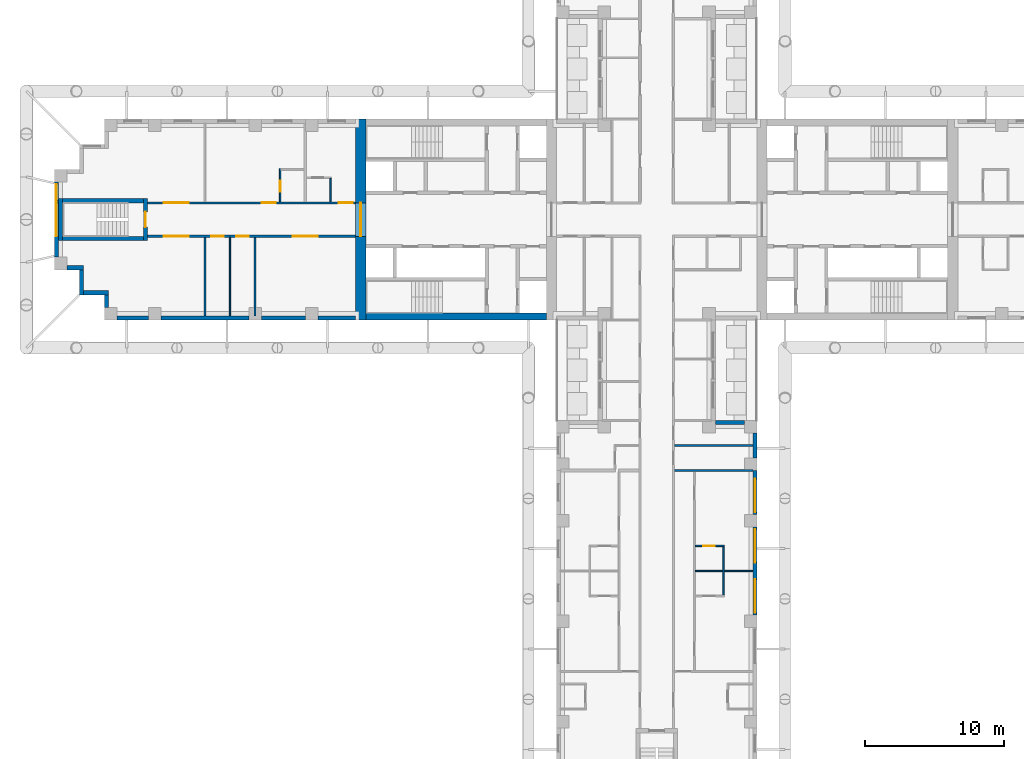
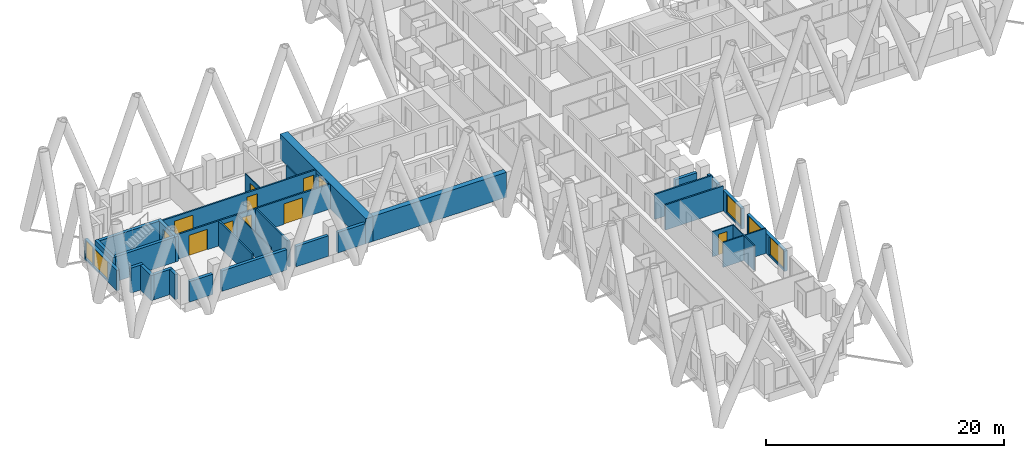
# One storey, part 6 of 17: 31 walls, 11 doors, 5 windows, 16 openings.
"""IFC4 building model written with IfcOpenShell, lengths in metres."""

from ifc_helpers import new_model, si_unit, direction, frame, frame_2d, origin, place, context, subcontext, project, spatial, rectangle, extrude, material, layer, layer_set, type_object, element, fill, save


model = new_model("IFC4")

# Units and contexts
model_context = context("Model", 3, precision=1e-05, world=origin(), true_north=direction((0.0, 1.0)))
body_context = subcontext(model_context, "Body", "Model", "MODEL_VIEW")
ifc_project = project(units=[si_unit("LENGTHUNIT", "METRE"), si_unit("AREAUNIT", "SQUARE_METRE"), si_unit("VOLUMEUNIT", "CUBIC_METRE"), si_unit("PLANEANGLEUNIT", "RADIAN"), si_unit("MASSUNIT", "GRAM", prefix="KILO")], contexts=[model_context])

# Site, building, storey
site_placement = place(None, origin())
site = spatial("IfcSite", under=ifc_project, at=site_placement, CompositionType="ELEMENT")
building_placement = place(site_placement, origin())
building = spatial("IfcBuilding", under=site, at=building_placement, Name="Fustian Cross Tower", CompositionType="ELEMENT")
storey_placement = place(building_placement, frame((0.0, 0.0, 56.699951171875)))
storey = spatial("IfcBuildingStorey", under=building, at=storey_placement, Name="L17", CompositionType="ELEMENT", Elevation=56.699951171875)

# Wall, openings, doors
ifc_material_1 = material(Name="Plasterboard on steel stud", Category="steel")
ifc_layer_1 = layer(ifc_material_1, 0.14990234375)
ifc_layer_set_1 = layer_set([ifc_layer_1], Name="Plasterboard on steel stud")
wall_type_1 = type_object("IfcWallType", Name="COMPARTMENT WALL 150 EI 60", PredefinedType="PARTITIONING", material=ifc_layer_set_1)
wall_1_placement = place(storey_placement, frame((-36.5, -1.199951171875, 0.0), z_axis=(0.0, 0.0, 1.0), x_axis=(1.0, 0.0, 0.0)))
wall_1 = element("IfcWall", 1, at=wall_1_placement, inside=storey, type_object=wall_type_1, Name="Partition 1", PredefinedType="PARTITIONING", context=body_context, shape_type="SweptSolid", body=[
    extrude(rectangle(XDim=14.89990234375, YDim=0.14990234375, at=frame_2d((7.449951171875, 0.0))), origin(), (0.0, 0.0, 1.0), 2.574951171875),
])
opening_1_placement = place(wall_1_placement, frame((10.39990234375, 0.0, 0.0)))
opening_1 = element("IfcOpeningElement", 2, at=opening_1_placement, cuts=wall_1, Name="Opening D09044", PredefinedType="OPENING", context=body_context, shape_type="SweptSolid", body=[
    extrude(rectangle(XDim=1.800048828125, YDim=2.10009765625, at=frame_2d((0.89990234375, 1.050048828125))), frame((0.0, 0.0849609375, 0.0), z_axis=(0.0, -1.0, 0.0), x_axis=(1.0, 0.0, 0.0)), (0.0, 0.0, 1.0), 0.169921875),
])
opening_2_placement = place(wall_1_placement, frame((6.35009765625, 0.0, 0.0)))
opening_2 = element("IfcOpeningElement", 3, at=opening_2_placement, cuts=wall_1, Name="Opening D09045", PredefinedType="OPENING", context=body_context, shape_type="SweptSolid", body=[
    extrude(rectangle(XDim=0.89990234375, YDim=2.10009765625, at=frame_2d((0.449951171875, 1.050048828125))), frame((0.0, 0.0849609375, 0.0), z_axis=(0.0, -1.0, 0.0), x_axis=(1.0, 0.0, 0.0)), (0.0, 0.0, 1.0), 0.169921875),
])
opening_3_placement = place(wall_1_placement, frame((4.550048828125, 0.0, 0.0)))
opening_3 = element("IfcOpeningElement", 4, at=opening_3_placement, cuts=wall_1, Name="Opening D09046", PredefinedType="OPENING", context=body_context, shape_type="SweptSolid", body=[
    extrude(rectangle(XDim=0.89990234375, YDim=2.10009765625, at=frame_2d((0.449951171875, 1.050048828125))), frame((0.0, 0.0849609375, 0.0), z_axis=(0.0, -1.0, 0.0), x_axis=(1.0, 0.0, 0.0)), (0.0, 0.0, 1.0), 0.169921875),
])
opening_4_placement = place(wall_1_placement, frame((1.14990234375, 0.0, 0.0)))
opening_4 = element("IfcOpeningElement", 5, at=opening_4_placement, cuts=wall_1, Name="Opening D09047", PredefinedType="OPENING", context=body_context, shape_type="SweptSolid", body=[
    extrude(rectangle(XDim=1.800048828125, YDim=2.10009765625, at=frame_2d((0.89990234375, 1.050048828125))), frame((0.0, 0.0849609375, 0.0), z_axis=(0.0, -1.0, 0.0), x_axis=(1.0, 0.0, 0.0)), (0.0, 0.0, 1.0), 0.169921875),
])
ifc_material_2 = material(Name="Timber fire door set", Category="wood")
door_type_1 = type_object("IfcDoorType", Name="FIRE DOUBLE DOOR 1800 FD30S", OperationType="DOUBLE_DOOR_DOUBLE_SWING", PredefinedType="DOOR", material=ifc_material_2)
door_1_placement = place(opening_1_placement, origin())
door_1 = element("IfcDoor", 6, at=door_1_placement, inside=storey, type_object=door_type_1, Name="Door D09044", OperationType="DOUBLE_DOOR_DOUBLE_SWING", OverallHeight=2.10009765625, OverallWidth=1.800048828125, PredefinedType="DOOR", context=body_context, shape_type="SweptSolid", body=[
    extrude(rectangle(XDim=1.800048828125, YDim=2.10009765625, at=frame_2d((0.89990234375, 1.050048828125))), frame((0.0, 0.02490234375, 0.0), z_axis=(0.0, -1.0, 0.0), x_axis=(1.0, 0.0, 0.0)), (0.0, 0.0, 1.0), 0.050048828125),
])
fill(opening_1, door_1)
door_2_placement = place(opening_4_placement, origin())
door_2 = element("IfcDoor", 7, at=door_2_placement, inside=storey, type_object=door_type_1, Name="Door D09047", OperationType="DOUBLE_DOOR_DOUBLE_SWING", OverallHeight=2.10009765625, OverallWidth=1.800048828125, PredefinedType="DOOR", context=body_context, shape_type="SweptSolid", body=[
    extrude(rectangle(XDim=1.800048828125, YDim=2.10009765625, at=frame_2d((0.89990234375, 1.050048828125))), frame((0.0, 0.02490234375, 0.0), z_axis=(0.0, -1.0, 0.0), x_axis=(1.0, 0.0, 0.0)), (0.0, 0.0, 1.0), 0.050048828125),
])
fill(opening_4, door_2)
ifc_material_3 = material(Name="Timber fire door set", Category="wood")
door_type_2 = type_object("IfcDoorType", Name="FIRE SWING DOOR 900 FD30S", OperationType="SINGLE_SWING_LEFT", PredefinedType="DOOR", material=ifc_material_3)
door_3_placement = place(opening_2_placement, frame((0.89990234375, 0.0, 0.0), z_axis=(0.0, 0.0, 1.0), x_axis=(-1.0, 0.0, 0.0)))
door_3 = element("IfcDoor", 8, at=door_3_placement, inside=storey, type_object=door_type_2, Name="Door D09045", OperationType="SINGLE_SWING_LEFT", OverallHeight=2.10009765625, OverallWidth=0.89990234375, PredefinedType="DOOR", context=body_context, shape_type="SweptSolid", body=[
    extrude(rectangle(XDim=0.89990234375, YDim=2.10009765625, at=frame_2d((0.449951171875, 1.050048828125))), frame((0.0, 0.02490234375, 0.0), z_axis=(0.0, -1.0, 0.0), x_axis=(1.0, 0.0, 0.0)), (0.0, 0.0, 1.0), 0.050048828125),
])
fill(opening_2, door_3)
door_4_placement = place(opening_3_placement, frame((0.89990234375, 0.0, 0.0), z_axis=(0.0, 0.0, 1.0), x_axis=(-1.0, 0.0, 0.0)))
door_4 = element("IfcDoor", 9, at=door_4_placement, inside=storey, type_object=door_type_2, Name="Door D09046", OperationType="SINGLE_SWING_LEFT", OverallHeight=2.10009765625, OverallWidth=0.89990234375, PredefinedType="DOOR", context=body_context, shape_type="SweptSolid", body=[
    extrude(rectangle(XDim=0.89990234375, YDim=2.10009765625, at=frame_2d((0.449951171875, 1.050048828125))), frame((0.0, 0.02490234375, 0.0), z_axis=(0.0, -1.0, 0.0), x_axis=(1.0, 0.0, 0.0)), (0.0, 0.0, 1.0), 0.050048828125),
])
fill(opening_3, door_4)

wall_2_placement = place(storey_placement, frame((-36.5, 1.199951171875, 0.0), z_axis=(0.0, 0.0, 1.0), x_axis=(1.0, 0.0, 0.0)))
wall_2 = element("IfcWall", 10, at=wall_2_placement, inside=storey, type_object=wall_type_1, Name="Partition 2", PredefinedType="PARTITIONING", context=body_context, shape_type="SweptSolid", body=[
    extrude(rectangle(XDim=14.89990234375, YDim=0.14990234375, at=frame_2d((7.449951171875, 0.0))), origin(), (0.0, 0.0, 1.0), 2.574951171875),
])
opening_5_placement = place(wall_2_placement, frame((13.699951171875, 0.0, 0.0)))
opening_5 = element("IfcOpeningElement", 11, at=opening_5_placement, cuts=wall_2, Name="Opening D09049", PredefinedType="OPENING", context=body_context, shape_type="SweptSolid", body=[
    extrude(rectangle(XDim=1.0, YDim=2.10009765625, at=frame_2d((0.5, 1.050048828125))), frame((0.0, 0.0849609375, 0.0), z_axis=(0.0, -1.0, 0.0), x_axis=(1.0, 0.0, 0.0)), (0.0, 0.0, 1.0), 0.169921875),
])
opening_6_placement = place(wall_2_placement, frame((8.18994140625, 0.0, 0.0)))
opening_6 = element("IfcOpeningElement", 12, at=opening_6_placement, cuts=wall_2, Name="Opening D09051", PredefinedType="OPENING", context=body_context, shape_type="SweptSolid", body=[
    extrude(rectangle(XDim=1.0, YDim=2.10009765625, at=frame_2d((0.5, 1.050048828125))), frame((0.0, 0.0849609375, 0.0), z_axis=(0.0, -1.0, 0.0), x_axis=(1.0, 0.0, 0.0)), (0.0, 0.0, 1.0), 0.169921875),
])
opening_7_placement = place(wall_2_placement, frame((1.14990234375, 0.0, 0.0)))
opening_7 = element("IfcOpeningElement", 13, at=opening_7_placement, cuts=wall_2, Name="Opening D09052", PredefinedType="OPENING", context=body_context, shape_type="SweptSolid", body=[
    extrude(rectangle(XDim=1.800048828125, YDim=2.10009765625, at=frame_2d((0.89990234375, 1.050048828125))), frame((0.0, 0.0849609375, 0.0), z_axis=(0.0, -1.0, 0.0), x_axis=(1.0, 0.0, 0.0)), (0.0, 0.0, 1.0), 0.169921875),
])
door_5_placement = place(opening_7_placement, frame((1.800048828125, 0.0, 0.0), z_axis=(0.0, 0.0, 1.0), x_axis=(-1.0, 0.0, 0.0)))
door_5 = element("IfcDoor", 14, at=door_5_placement, inside=storey, type_object=door_type_1, Name="Door D09052", OperationType="DOUBLE_DOOR_DOUBLE_SWING", OverallHeight=2.10009765625, OverallWidth=1.800048828125, PredefinedType="DOOR", context=body_context, shape_type="SweptSolid", body=[
    extrude(rectangle(XDim=1.800048828125, YDim=2.10009765625, at=frame_2d((0.89990234375, 1.050048828125))), frame((0.0, 0.02490234375, 0.0), z_axis=(0.0, -1.0, 0.0), x_axis=(1.0, 0.0, 0.0)), (0.0, 0.0, 1.0), 0.050048828125),
])
fill(opening_7, door_5)
ifc_material_4 = material(Name="Timber fire door set", Category="wood")
door_type_3 = type_object("IfcDoorType", Name="FIRE SWING DOOR 1000 FD30S", OperationType="SINGLE_SWING_LEFT", PredefinedType="DOOR", material=ifc_material_4)
door_6_placement = place(opening_5_placement, origin())
door_6 = element("IfcDoor", 15, at=door_6_placement, inside=storey, type_object=door_type_3, Name="Door D09049", OperationType="SINGLE_SWING_RIGHT", OverallHeight=2.10009765625, OverallWidth=1.0, PredefinedType="DOOR", context=body_context, shape_type="SweptSolid", body=[
    extrude(rectangle(XDim=1.0, YDim=2.10009765625, at=frame_2d((0.5, 1.050048828125))), frame((0.0, 0.02490234375, 0.0), z_axis=(0.0, -1.0, 0.0), x_axis=(1.0, 0.0, 0.0)), (0.0, 0.0, 1.0), 0.050048828125),
])
fill(opening_5, door_6)
door_7_placement = place(opening_6_placement, origin())
door_7 = element("IfcDoor", 16, at=door_7_placement, inside=storey, type_object=door_type_3, Name="Door D09051", OperationType="SINGLE_SWING_RIGHT", OverallHeight=2.10009765625, OverallWidth=1.0, PredefinedType="DOOR", context=body_context, shape_type="SweptSolid", body=[
    extrude(rectangle(XDim=1.0, YDim=2.10009765625, at=frame_2d((0.5, 1.050048828125))), frame((0.0, 0.02490234375, 0.0), z_axis=(0.0, -1.0, 0.0), x_axis=(1.0, 0.0, 0.0)), (0.0, 0.0, 1.0), 0.050048828125),
])
fill(opening_6, door_7)

# Walls
for number, where, z_axis, x_axis, name in (
    (17, (-32.39990234375, -6.89990234375, 0.0), (0.0, 0.0, 1.0), (0.0, 1.0, 0.0), "Partition 3"),
    (18, (-28.800048828125, -6.89990234375, 0.0), (0.0, 0.0, 1.0), (0.0, 1.0, 0.0), "Partition 6"),
    (19, (1.27490234375, -18.0, 0.0), (0.0, 0.0, 1.0), (1.0, 0.0, 0.0), "Partition 50"),
    (20, (1.27490234375, -16.199951171875, 0.0), (0.0, 0.0, 1.0), (1.0, 0.0, 0.0), "Partition 51"),
):
    element("IfcWall", number, at=place(storey_placement, frame(where, z_axis=z_axis, x_axis=x_axis)), inside=storey, type_object=wall_type_1, Name=name, PredefinedType="PARTITIONING", context=body_context, shape_type="SweptSolid", body=[
        extrude(rectangle(XDim=5.625, YDim=0.14990234375, at=frame_2d((2.8125, 0.0))), origin(), (0.0, 0.0, 1.0), 2.574951171875),
    ])

# Wall, opening, door
ifc_material_5 = material(Name="Concrete C80/95", Category="concrete")
ifc_layer_2 = layer(ifc_material_5, 0.75)
ifc_layer_set_2 = layer_set([ifc_layer_2], Name="Concrete C80/95")
wall_type_2 = type_object("IfcWallType", Name="CORE END WALL 750 C80/95", PredefinedType="SHEAR", material=ifc_layer_set_2)
wall_3_placement = place(storey_placement, frame((-21.22509765625, -7.199951171875, 0.0), z_axis=(0.0, 0.0, 1.0), x_axis=(0.0, 1.0, 0.0)))
wall_3 = element("IfcWall", 21, at=wall_3_placement, inside=storey, type_object=wall_type_2, Name="Core end wall", PredefinedType="SHEAR", context=body_context, shape_type="SweptSolid", body=[
    extrude(rectangle(XDim=14.39990234375, YDim=0.75, at=frame_2d((7.199951171875, 0.0))), origin(), (0.0, 0.0, 1.0), 2.574951171875),
])
opening_8_placement = place(wall_3_placement, frame((6.0, 0.0, 0.0)))
opening_8 = element("IfcOpeningElement", 22, at=opening_8_placement, cuts=wall_3, Name="Opening CD-06-28", PredefinedType="OPENING", context=body_context, shape_type="SweptSolid", body=[
    extrude(rectangle(XDim=2.39990234375, YDim=2.199951171875, at=frame_2d((1.199951171875, 1.10009765625))), frame((0.0, 0.385009765625, 0.0), z_axis=(0.0, -1.0, 0.0), x_axis=(1.0, 0.0, 0.0)), (0.0, 0.0, 1.0), 0.77001953125),
])
ifc_material_6 = material(Name="Steel", Category="steel")
door_type_4 = type_object("IfcDoorType", Name="FIRE DOOR FD30S DOUBLE 2400X2200", OperationType="DOUBLE_DOOR_DOUBLE_SWING", PredefinedType="DOOR", material=ifc_material_6)
door_8_placement = place(opening_8_placement, frame((2.39990234375, 0.0, 0.0), z_axis=(0.0, 0.0, 1.0), x_axis=(-1.0, 0.0, 0.0)))
door_8 = element("IfcDoor", 23, at=door_8_placement, inside=storey, type_object=door_type_4, Name="Core door CD-06-28", OperationType="DOUBLE_DOOR_DOUBLE_SWING", OverallHeight=2.199951171875, OverallWidth=2.39990234375, PredefinedType="DOOR", context=body_context, shape_type="SweptSolid", body=[
    extrude(rectangle(XDim=2.39990234375, YDim=2.199951171875, at=frame_2d((1.199951171875, 1.10009765625))), frame((0.0, 0.02490234375, 0.0), z_axis=(0.0, -1.0, 0.0), x_axis=(1.0, 0.0, 0.0)), (0.0, 0.0, 1.0), 0.050048828125),
])
fill(opening_8, door_8)

# Walls
ifc_material_7 = material(Name="Concrete C80/95", Category="concrete")
ifc_layer_3 = layer(ifc_material_7, 0.5)
ifc_layer_set_3 = layer_set([ifc_layer_3], Name="Concrete C80/95")
wall_type_3 = type_object("IfcWallType", Name="CORE FACADE WALL 500 C80/95", PredefinedType="SHEAR", material=ifc_layer_set_3)
wall_4_placement = place(storey_placement, frame((-7.89990234375, -6.949951171875, 0.0), z_axis=(0.0, 0.0, 1.0), x_axis=(-1.0, 0.0, 0.0)))
element("IfcWall", 24, at=wall_4_placement, inside=storey, type_object=wall_type_3, Name="Core facade wall", PredefinedType="SHEAR", context=body_context, shape_type="SweptSolid", body=[
    extrude(rectangle(XDim=12.9501953125, YDim=0.5, at=frame_2d((6.47509765625, 0.0))), origin(), (0.0, 0.0, 1.0), 2.574951171875),
])
ifc_material_8 = material(Name="Plasterboard on steel stud", Category="steel")
ifc_layer_4 = layer(ifc_material_8, 0.10009765625)
ifc_layer_set_4 = layer_set([ifc_layer_4], Name="Plasterboard on steel stud")
wall_type_4 = type_object("IfcWallType", Name="PARTITION 100 STUD", PredefinedType="PARTITIONING", material=ifc_layer_set_4)
wall_5_placement = place(storey_placement, frame((-30.60009765625, -6.89990234375, 0.0), z_axis=(0.0, 0.0, 1.0), x_axis=(0.0, 1.0, 0.0)))
element("IfcWall", 25, at=wall_5_placement, inside=storey, type_object=wall_type_4, Name="Partition 5", PredefinedType="PARTITIONING", context=body_context, shape_type="SweptSolid", body=[
    extrude(rectangle(XDim=5.625, YDim=0.10009765625, at=frame_2d((2.8125, 0.0))), origin(), (0.0, 0.0, 1.0), 2.574951171875),
])

# Wall, opening, door
wall_6_placement = place(storey_placement, frame((-27.0, 1.27490234375, 0.0), z_axis=(0.0, 0.0, 1.0), x_axis=(0.0, 1.0, 0.0)))
wall_6 = element("IfcWall", 26, at=wall_6_placement, inside=storey, type_object=wall_type_4, Name="Partition 7", PredefinedType="PARTITIONING", context=body_context, shape_type="SweptSolid", body=[
    extrude(rectangle(XDim=2.375, YDim=0.10009765625, at=frame_2d((1.1875, 0.0))), origin(), (0.0, 0.0, 1.0), 2.574951171875),
])
opening_9_placement = place(wall_6_placement, frame((0.72509765625, 0.0, 0.0)))
opening_9 = element("IfcOpeningElement", 27, at=opening_9_placement, cuts=wall_6, Name="Opening D09050", PredefinedType="OPENING", context=body_context, shape_type="SweptSolid", body=[
    extrude(rectangle(XDim=0.800048828125, YDim=2.10009765625, at=frame_2d((0.39990234375, 1.050048828125))), frame((0.0, 0.06005859375, 0.0), z_axis=(0.0, -1.0, 0.0), x_axis=(1.0, 0.0, 0.0)), (0.0, 0.0, 1.0), 0.1201171875),
])
ifc_material_9 = material(Name="Painted timber", Category="wood")
door_type_5 = type_object("IfcDoorType", Name="SWING DOOR 800", OperationType="SINGLE_SWING_LEFT", PredefinedType="DOOR", material=ifc_material_9)
door_9_placement = place(opening_9_placement, frame((0.800048828125, 0.0, 0.0), z_axis=(0.0, 0.0, 1.0), x_axis=(-1.0, 0.0, 0.0)))
door_9 = element("IfcDoor", 28, at=door_9_placement, inside=storey, type_object=door_type_5, Name="Door D09050", OperationType="SINGLE_SWING_RIGHT", OverallHeight=2.10009765625, OverallWidth=0.800048828125, PredefinedType="DOOR", context=body_context, shape_type="SweptSolid", body=[
    extrude(rectangle(XDim=0.800048828125, YDim=2.10009765625, at=frame_2d((0.39990234375, 1.050048828125))), frame((0.0, 0.02490234375, 0.0), z_axis=(0.0, -1.0, 0.0), x_axis=(1.0, 0.0, 0.0)), (0.0, 0.0, 1.0), 0.050048828125),
])
fill(opening_9, door_9)

# Walls
wall_7_placement = place(storey_placement, frame((-23.39990234375, 1.27490234375, 0.0), z_axis=(0.0, 0.0, 1.0), x_axis=(0.0, 1.0, 0.0)))
element("IfcWall", 29, at=wall_7_placement, inside=storey, type_object=wall_type_4, Name="Partition 11", PredefinedType="PARTITIONING", context=body_context, shape_type="SweptSolid", body=[
    extrude(rectangle(XDim=1.675048828125, YDim=0.10009765625, at=frame_2d((0.83740234375, 0.0))), origin(), (0.0, 0.0, 1.0), 2.574951171875),
])
wall_8_placement = place(storey_placement, frame((2.75, -25.199951171875, 0.0), z_axis=(0.0, 0.0, 1.0), x_axis=(1.0, 0.0, 0.0)))
element("IfcWall", 30, at=wall_8_placement, inside=storey, type_object=wall_type_4, Name="Partition 66", PredefinedType="PARTITIONING", context=body_context, shape_type="SweptSolid", body=[
    extrude(rectangle(XDim=4.14990234375, YDim=0.10009765625, at=frame_2d((2.074951171875, 0.0))), origin(), (0.0, 0.0, 1.0), 2.574951171875),
])

# Wall, opening, door
wall_9_placement = place(storey_placement, frame((2.75, -23.39990234375, 0.0), z_axis=(0.0, 0.0, 1.0), x_axis=(1.0, 0.0, 0.0)))
wall_9 = element("IfcWall", 31, at=wall_9_placement, inside=storey, type_object=wall_type_4, Name="Partition 67", PredefinedType="PARTITIONING", context=body_context, shape_type="SweptSolid", body=[
    extrude(rectangle(XDim=2.10009765625, YDim=0.10009765625, at=frame_2d((1.050048828125, 0.0))), origin(), (0.0, 0.0, 1.0), 2.574951171875),
])
opening_10_placement = place(wall_9_placement, frame((0.60009765625, 0.0, 0.0)))
opening_10 = element("IfcOpeningElement", 32, at=opening_10_placement, cuts=wall_9, Name="Opening D09062", PredefinedType="OPENING", context=body_context, shape_type="SweptSolid", body=[
    extrude(rectangle(XDim=0.800048828125, YDim=2.10009765625, at=frame_2d((0.39990234375, 1.050048828125))), frame((0.0, 0.06005859375, 0.0), z_axis=(0.0, -1.0, 0.0), x_axis=(1.0, 0.0, 0.0)), (0.0, 0.0, 1.0), 0.1201171875),
])
door_10_placement = place(opening_10_placement, frame((0.800048828125, 0.0, 0.0), z_axis=(0.0, 0.0, 1.0), x_axis=(-1.0, 0.0, 0.0)))
door_10 = element("IfcDoor", 33, at=door_10_placement, inside=storey, type_object=door_type_5, Name="Door D09062", OperationType="SINGLE_SWING_RIGHT", OverallHeight=2.10009765625, OverallWidth=0.800048828125, PredefinedType="DOOR", context=body_context, shape_type="SweptSolid", body=[
    extrude(rectangle(XDim=0.800048828125, YDim=2.10009765625, at=frame_2d((0.39990234375, 1.050048828125))), frame((0.0, 0.02490234375, 0.0), z_axis=(0.0, -1.0, 0.0), x_axis=(1.0, 0.0, 0.0)), (0.0, 0.0, 1.0), 0.050048828125),
])
fill(opening_10, door_10)

# Wall
wall_10_placement = place(storey_placement, frame((4.800048828125, -26.949951171875, 0.0), z_axis=(0.0, 0.0, 1.0), x_axis=(0.0, 1.0, 0.0)))
element("IfcWall", 34, at=wall_10_placement, inside=storey, type_object=wall_type_4, Name="Partition 77", PredefinedType="PARTITIONING", context=body_context, shape_type="SweptSolid", body=[
    extrude(rectangle(XDim=3.5, YDim=0.10009765625, at=frame_2d((1.75, 0.0))), origin(), (0.0, 0.0, 1.0), 2.574951171875),
])

# Wall, opening, door
ifc_material_10 = material(Name="Concrete C50/60", Category="concrete")
ifc_layer_5 = layer(ifc_material_10, 0.300048828125)
ifc_layer_set_5 = layer_set([ifc_layer_5], Name="Concrete C50/60")
wall_type_5 = type_object("IfcWallType", Name="STAIR ENCLOSURE WALL 300 C50/60", PredefinedType="SHEAR", material=ifc_layer_set_5)
wall_11_placement = place(storey_placement, frame((-36.64990234375, -1.5, 0.0), z_axis=(0.0, 0.0, 1.0), x_axis=(0.0, 1.0, 0.0)))
wall_11 = element("IfcWall", 35, at=wall_11_placement, inside=storey, type_object=wall_type_5, Name="Stair enclosure wall", PredefinedType="SHEAR", context=body_context, shape_type="SweptSolid", body=[
    extrude(rectangle(XDim=3.0, YDim=0.300048828125, at=frame_2d((1.5, 0.0))), origin(), (0.0, 0.0, 1.0), 2.574951171875),
])
opening_11_placement = place(wall_11_placement, frame((0.949951171875, 0.0, 0.0)))
opening_11 = element("IfcOpeningElement", 36, at=opening_11_placement, cuts=wall_11, Name="Opening CD-06-34", PredefinedType="OPENING", context=body_context, shape_type="SweptSolid", body=[
    extrude(rectangle(XDim=1.10009765625, YDim=2.10009765625, at=frame_2d((0.550048828125, 1.050048828125))), frame((0.0, 0.159912109375, 0.0), z_axis=(0.0, -1.0, 0.0), x_axis=(1.0, 0.0, 0.0)), (0.0, 0.0, 1.0), 0.320068359375),
])
ifc_material_11 = material(Name="Steel", Category="steel")
door_type_6 = type_object("IfcDoorType", Name="FIRE DOOR FD60S 1100X2100", OperationType="SINGLE_SWING_LEFT", PredefinedType="DOOR", material=ifc_material_11)
door_11_placement = place(opening_11_placement, origin())
door_11 = element("IfcDoor", 37, at=door_11_placement, inside=storey, type_object=door_type_6, Name="Core door CD-06-34", OperationType="SINGLE_SWING_LEFT", OverallHeight=2.10009765625, OverallWidth=1.10009765625, PredefinedType="DOOR", context=body_context, shape_type="SweptSolid", body=[
    extrude(rectangle(XDim=1.10009765625, YDim=2.10009765625, at=frame_2d((0.550048828125, 1.050048828125))), frame((0.0, 0.02490234375, 0.0), z_axis=(0.0, -1.0, 0.0), x_axis=(1.0, 0.0, 0.0)), (0.0, 0.0, 1.0), 0.050048828125),
])
fill(opening_11, door_11)

# Walls
wall_12_placement = place(storey_placement, frame((-42.75, -1.5, 0.0), z_axis=(0.0, 0.0, 1.0), x_axis=(0.0, 1.0, 0.0)))
element("IfcWall", 38, at=wall_12_placement, inside=storey, type_object=wall_type_5, Name="Stair enclosure wall", PredefinedType="SHEAR", context=body_context, shape_type="SweptSolid", body=[
    extrude(rectangle(XDim=3.0, YDim=0.300048828125, at=frame_2d((1.5, 0.0))), origin(), (0.0, 0.0, 1.0), 2.574951171875),
])
for number, where, z_axis, x_axis, name in (
    (39, (-36.800048828125, -1.35009765625, 0.0), (0.0, 0.0, 1.0), (-1.0, 0.0, 0.0), "Stair enclosure wall"),
    (40, (-36.800048828125, 1.35009765625, 0.0), (0.0, 0.0, 1.0), (-1.0, 0.0, 0.0), "Stair enclosure wall"),
):
    element("IfcWall", number, at=place(storey_placement, frame(where, z_axis=z_axis, x_axis=x_axis)), inside=storey, type_object=wall_type_5, Name=name, PredefinedType="SHEAR", context=body_context, shape_type="SweptSolid", body=[
        extrude(rectangle(XDim=5.800048828125, YDim=0.300048828125, at=frame_2d((2.89990234375, 0.0))), origin(), (0.0, 0.0, 1.0), 2.574951171875),
    ])

# Wall, openings, windows
ifc_material_12 = material(Name="Dark aluminium cladding on insulated backing wall", Category="aluminium")
ifc_layer_6 = layer(ifc_material_12, 0.300048828125)
ifc_layer_set_6 = layer_set([ifc_layer_6], Name="Dark aluminium cladding on insulated backing wall")
wall_type_6 = type_object("IfcWallType", Name="XW1 EXTERNAL WALL 300", PredefinedType="SOLIDWALL", material=ifc_layer_set_6)
wall_13_placement = place(storey_placement, frame((-43.050048828125, 2.699951171875, 0.0), z_axis=(0.0, 0.0, 1.0), x_axis=(0.0, -1.0, 0.0)))
wall_13 = element("IfcWall", 41, at=wall_13_placement, inside=storey, type_object=wall_type_6, Name="External wall", PredefinedType="SOLIDWALL", context=body_context, shape_type="SweptSolid", body=[
    extrude(rectangle(XDim=5.39990234375, YDim=0.300048828125, at=frame_2d((2.699951171875, 0.0))), origin(), (0.0, 0.0, 1.0), 2.10009765625),
])
opening_12_placement = place(wall_13_placement, frame((1.5, 0.0, 0.199951171875)))
opening_12 = element("IfcOpeningElement", 42, at=opening_12_placement, cuts=wall_13, Name="Opening WN1", PredefinedType="OPENING", context=body_context, shape_type="SweptSolid", body=[
    extrude(rectangle(XDim=2.39990234375, YDim=1.85009765625, at=frame_2d((1.199951171875, 0.925048828125))), frame((0.0, 0.159912109375, 0.0), z_axis=(0.0, -1.0, 0.0), x_axis=(1.0, 0.0, 0.0)), (0.0, 0.0, 1.0), 0.320068359375),
])
opening_13_placement = place(wall_13_placement, frame((0.14990234375, 0.0, 0.199951171875)))
opening_13 = element("IfcOpeningElement", 43, at=opening_13_placement, cuts=wall_13, Name="Opening WN3", PredefinedType="OPENING", context=body_context, shape_type="SweptSolid", body=[
    extrude(rectangle(XDim=1.199951171875, YDim=1.85009765625, at=frame_2d((0.60009765625, 0.925048828125))), frame((0.0, 0.159912109375, 0.0), z_axis=(0.0, -1.0, 0.0), x_axis=(1.0, 0.0, 0.0)), (0.0, 0.0, 1.0), 0.320068359375),
])
ifc_material_13 = material(Name="Dark anodised aluminium and double glazing", Category="aluminium")
window_type_1 = type_object("IfcWindowType", Name="WN1 WINDOW 2400X1850", PartitioningType="SINGLE_PANEL", PredefinedType="WINDOW", material=ifc_material_13)
window_1_placement = place(opening_12_placement, origin())
window_1 = element("IfcWindow", 44, at=window_1_placement, inside=storey, type_object=window_type_1, Name="Window", OverallHeight=1.85009765625, OverallWidth=2.39990234375, PartitioningType="SINGLE_PANEL", PredefinedType="WINDOW", context=body_context, shape_type="SweptSolid", body=[
    extrude(rectangle(XDim=2.39990234375, YDim=1.85009765625, at=frame_2d((1.199951171875, 0.925048828125))), frame((0.0, 0.030029296875, 0.0), z_axis=(0.0, -1.0, 0.0), x_axis=(1.0, 0.0, 0.0)), (0.0, 0.0, 1.0), 0.06005859375),
])
fill(opening_12, window_1)
ifc_material_14 = material(Name="Dark anodised aluminium and double glazing", Category="aluminium")
window_type_2 = type_object("IfcWindowType", Name="WN3 WINDOW 1200X1850", PartitioningType="SINGLE_PANEL", PredefinedType="WINDOW", material=ifc_material_14)
window_2_placement = place(opening_13_placement, origin())
window_2 = element("IfcWindow", 45, at=window_2_placement, inside=storey, type_object=window_type_2, Name="Window", OverallHeight=1.85009765625, OverallWidth=1.199951171875, PartitioningType="SINGLE_PANEL", PredefinedType="WINDOW", context=body_context, shape_type="SweptSolid", body=[
    extrude(rectangle(XDim=1.199951171875, YDim=1.85009765625, at=frame_2d((0.60009765625, 0.925048828125))), frame((0.0, 0.030029296875, 0.0), z_axis=(0.0, -1.0, 0.0), x_axis=(1.0, 0.0, 0.0)), (0.0, 0.0, 1.0), 0.06005859375),
])
fill(opening_13, window_2)

# Walls
wall_14_placement = place(storey_placement, frame((-42.300048828125, -3.449951171875, 0.0), z_axis=(0.0, 0.0, 1.0), x_axis=(1.0, 0.0, 0.0)))
element("IfcWall", 46, at=wall_14_placement, inside=storey, type_object=wall_type_6, Name="External wall", PredefinedType="SOLIDWALL", context=body_context, shape_type="SweptSolid", body=[
    extrude(rectangle(XDim=1.199951171875, YDim=0.300048828125, at=frame_2d((0.60009765625, 0.0))), origin(), (0.0, 0.0, 1.0), 2.574951171875),
])
wall_15_placement = place(storey_placement, frame((-41.25, -3.60009765625, 0.0), z_axis=(0.0, 0.0, 1.0), x_axis=(0.0, -1.0, 0.0)))
element("IfcWall", 47, at=wall_15_placement, inside=storey, type_object=wall_type_6, Name="External wall", PredefinedType="SOLIDWALL", context=body_context, shape_type="SweptSolid", body=[
    extrude(rectangle(XDim=1.7998046875, YDim=0.300048828125, at=frame_2d((0.89990234375, 0.0))), origin(), (0.0, 0.0, 1.0), 2.574951171875),
])
wall_16_placement = place(storey_placement, frame((-41.10009765625, -5.25, 0.0), z_axis=(0.0, 0.0, 1.0), x_axis=(1.0, 0.0, 0.0)))
element("IfcWall", 48, at=wall_16_placement, inside=storey, type_object=wall_type_6, Name="External wall", PredefinedType="SOLIDWALL", context=body_context, shape_type="SweptSolid", body=[
    extrude(rectangle(XDim=1.800048828125, YDim=0.300048828125, at=frame_2d((0.89990234375, 0.0))), origin(), (0.0, 0.0, 1.0), 2.574951171875),
])
wall_17_placement = place(storey_placement, frame((-39.449951171875, -5.39990234375, 0.0), z_axis=(0.0, 0.0, 1.0), x_axis=(0.0, -1.0, 0.0)))
element("IfcWall", 49, at=wall_17_placement, inside=storey, type_object=wall_type_6, Name="External wall", PredefinedType="SOLIDWALL", context=body_context, shape_type="SweptSolid", body=[
    extrude(rectangle(XDim=0.900146484375, YDim=0.300048828125, at=frame_2d((0.4501953125, 0.0))), origin(), (0.0, 0.0, 1.0), 2.574951171875),
])
wall_18_placement = place(storey_placement, frame((-38.699951171875, -7.050048828125, 0.0), z_axis=(0.0, 0.0, 1.0), x_axis=(1.0, 0.0, 0.0)))
element("IfcWall", 50, at=wall_18_placement, inside=storey, type_object=wall_type_6, Name="External wall", PredefinedType="SOLIDWALL", context=body_context, shape_type="SweptSolid", body=[
    extrude(rectangle(XDim=2.25, YDim=0.300048828125, at=frame_2d((1.125, 0.0))), origin(), (0.0, 0.0, 1.0), 2.10009765625),
])
wall_19_placement = place(storey_placement, frame((-35.550048828125, -7.050048828125, 0.0), z_axis=(0.0, 0.0, 1.0), x_axis=(1.0, 0.0, 0.0)))
element("IfcWall", 51, at=wall_19_placement, inside=storey, type_object=wall_type_6, Name="External wall", PredefinedType="SOLIDWALL", context=body_context, shape_type="SweptSolid", body=[
    extrude(rectangle(XDim=6.300048828125, YDim=0.300048828125, at=frame_2d((3.14990234375, 0.0))), origin(), (0.0, 0.0, 1.0), 2.10009765625),
])
wall_20_placement = place(storey_placement, frame((-28.35009765625, -7.050048828125, 0.0), z_axis=(0.0, 0.0, 1.0), x_axis=(1.0, 0.0, 0.0)))
element("IfcWall", 52, at=wall_20_placement, inside=storey, type_object=wall_type_6, Name="External wall", PredefinedType="SOLIDWALL", context=body_context, shape_type="SweptSolid", body=[
    extrude(rectangle(XDim=3.150146484375, YDim=0.300048828125, at=frame_2d((1.5751953125, 0.0))), origin(), (0.0, 0.0, 1.0), 2.10009765625),
])
wall_21_placement = place(storey_placement, frame((-24.300048828125, -7.050048828125, 0.0), z_axis=(0.0, 0.0, 1.0), x_axis=(1.0, 0.0, 0.0)))
element("IfcWall", 53, at=wall_21_placement, inside=storey, type_object=wall_type_6, Name="External wall", PredefinedType="SOLIDWALL", context=body_context, shape_type="SweptSolid", body=[
    extrude(rectangle(XDim=2.699951171875, YDim=0.300048828125, at=frame_2d((1.35009765625, 0.0))), origin(), (0.0, 0.0, 1.0), 2.10009765625),
])

# Wall, openings, windows
wall_22_placement = place(storey_placement, frame((7.050048828125, -28.35009765625, 0.0), z_axis=(0.0, 0.0, 1.0), x_axis=(0.0, 1.0, 0.0)))
wall_22 = element("IfcWall", 54, at=wall_22_placement, inside=storey, type_object=wall_type_6, Name="External wall", PredefinedType="SOLIDWALL", context=body_context, shape_type="SweptSolid", body=[
    extrude(rectangle(XDim=6.300048828125, YDim=0.300048828125, at=frame_2d((3.14990234375, 0.0))), origin(), (0.0, 0.0, 1.0), 2.10009765625),
])
opening_14_placement = place(wall_22_placement, frame((0.14990234375, 0.0, 0.199951171875)))
opening_14 = element("IfcOpeningElement", 55, at=opening_14_placement, cuts=wall_22, Name="Opening WN1", PredefinedType="OPENING", context=body_context, shape_type="SweptSolid", body=[
    extrude(rectangle(XDim=2.39990234375, YDim=1.85009765625, at=frame_2d((1.199951171875, 0.925048828125))), frame((0.0, 0.159912109375, 0.0), z_axis=(0.0, -1.0, 0.0), x_axis=(1.0, 0.0, 0.0)), (0.0, 0.0, 1.0), 0.320068359375),
])
opening_15_placement = place(wall_22_placement, frame((3.75, 0.0, 0.199951171875)))
opening_15 = element("IfcOpeningElement", 56, at=opening_15_placement, cuts=wall_22, Name="Opening WN1", PredefinedType="OPENING", context=body_context, shape_type="SweptSolid", body=[
    extrude(rectangle(XDim=2.39990234375, YDim=1.85009765625, at=frame_2d((1.199951171875, 0.925048828125))), frame((0.0, 0.159912109375, 0.0), z_axis=(0.0, -1.0, 0.0), x_axis=(1.0, 0.0, 0.0)), (0.0, 0.0, 1.0), 0.320068359375),
])
window_3_placement = place(opening_14_placement, origin())
window_3 = element("IfcWindow", 57, at=window_3_placement, inside=storey, type_object=window_type_1, Name="Window", OverallHeight=1.85009765625, OverallWidth=2.39990234375, PartitioningType="SINGLE_PANEL", PredefinedType="WINDOW", context=body_context, shape_type="SweptSolid", body=[
    extrude(rectangle(XDim=2.39990234375, YDim=1.85009765625, at=frame_2d((1.199951171875, 0.925048828125))), frame((0.0, 0.030029296875, 0.0), z_axis=(0.0, -1.0, 0.0), x_axis=(1.0, 0.0, 0.0)), (0.0, 0.0, 1.0), 0.06005859375),
])
fill(opening_14, window_3)
window_4_placement = place(opening_15_placement, origin())
window_4 = element("IfcWindow", 58, at=window_4_placement, inside=storey, type_object=window_type_1, Name="Window", OverallHeight=1.85009765625, OverallWidth=2.39990234375, PartitioningType="SINGLE_PANEL", PredefinedType="WINDOW", context=body_context, shape_type="SweptSolid", body=[
    extrude(rectangle(XDim=2.39990234375, YDim=1.85009765625, at=frame_2d((1.199951171875, 0.925048828125))), frame((0.0, 0.030029296875, 0.0), z_axis=(0.0, -1.0, 0.0), x_axis=(1.0, 0.0, 0.0)), (0.0, 0.0, 1.0), 0.06005859375),
])
fill(opening_15, window_4)

# Wall, opening, window
wall_23_placement = place(storey_placement, frame((7.050048828125, -21.14990234375, 0.0), z_axis=(0.0, 0.0, 1.0), x_axis=(0.0, 1.0, 0.0)))
wall_23 = element("IfcWall", 59, at=wall_23_placement, inside=storey, type_object=wall_type_6, Name="External wall", PredefinedType="SOLIDWALL", context=body_context, shape_type="SweptSolid", body=[
    extrude(rectangle(XDim=3.14990234375, YDim=0.300048828125, at=frame_2d((1.574951171875, 0.0))), origin(), (0.0, 0.0, 1.0), 2.10009765625),
])
opening_16_placement = place(wall_23_placement, frame((0.14990234375, 0.0, 0.199951171875)))
opening_16 = element("IfcOpeningElement", 60, at=opening_16_placement, cuts=wall_23, Name="Opening WN1", PredefinedType="OPENING", context=body_context, shape_type="SweptSolid", body=[
    extrude(rectangle(XDim=2.39990234375, YDim=1.85009765625, at=frame_2d((1.199951171875, 0.925048828125))), frame((0.0, 0.159912109375, 0.0), z_axis=(0.0, -1.0, 0.0), x_axis=(1.0, 0.0, 0.0)), (0.0, 0.0, 1.0), 0.320068359375),
])
window_5_placement = place(opening_16_placement, origin())
window_5 = element("IfcWindow", 61, at=window_5_placement, inside=storey, type_object=window_type_1, Name="Window", OverallHeight=1.85009765625, OverallWidth=2.39990234375, PartitioningType="SINGLE_PANEL", PredefinedType="WINDOW", context=body_context, shape_type="SweptSolid", body=[
    extrude(rectangle(XDim=2.39990234375, YDim=1.85009765625, at=frame_2d((1.199951171875, 0.925048828125))), frame((0.0, 0.030029296875, 0.0), z_axis=(0.0, -1.0, 0.0), x_axis=(1.0, 0.0, 0.0)), (0.0, 0.0, 1.0), 0.06005859375),
])
fill(opening_16, window_5)

# Walls
wall_24_placement = place(storey_placement, frame((7.050048828125, -17.10009765625, 0.0), z_axis=(0.0, 0.0, 1.0), x_axis=(0.0, 1.0, 0.0)))
element("IfcWall", 62, at=wall_24_placement, inside=storey, type_object=wall_type_6, Name="External wall", PredefinedType="SOLIDWALL", context=body_context, shape_type="SweptSolid", body=[
    extrude(rectangle(XDim=1.800048828125, YDim=0.300048828125, at=frame_2d((0.89990234375, 0.0))), origin(), (0.0, 0.0, 1.0), 2.10009765625),
])
wall_25_placement = place(storey_placement, frame((6.300048828125, -14.550048828125, 0.0), z_axis=(0.0, 0.0, 1.0), x_axis=(-1.0, 0.0, 0.0)))
element("IfcWall", 63, at=wall_25_placement, inside=storey, type_object=wall_type_6, Name="External wall", PredefinedType="SOLIDWALL", context=body_context, shape_type="SweptSolid", body=[
    extrude(rectangle(XDim=2.10009765625, YDim=0.300048828125, at=frame_2d((1.050048828125, 0.0))), origin(), (0.0, 0.0, 1.0), 2.10009765625),
])

save(model, "model.ifc")
